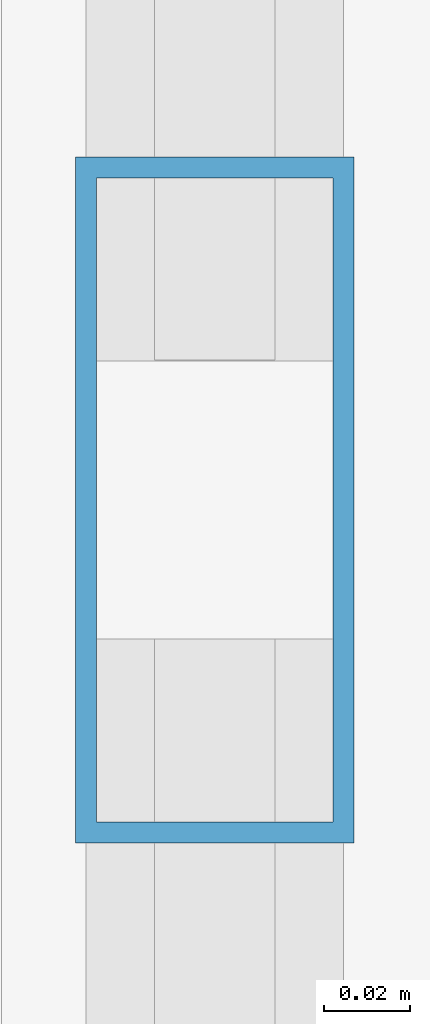
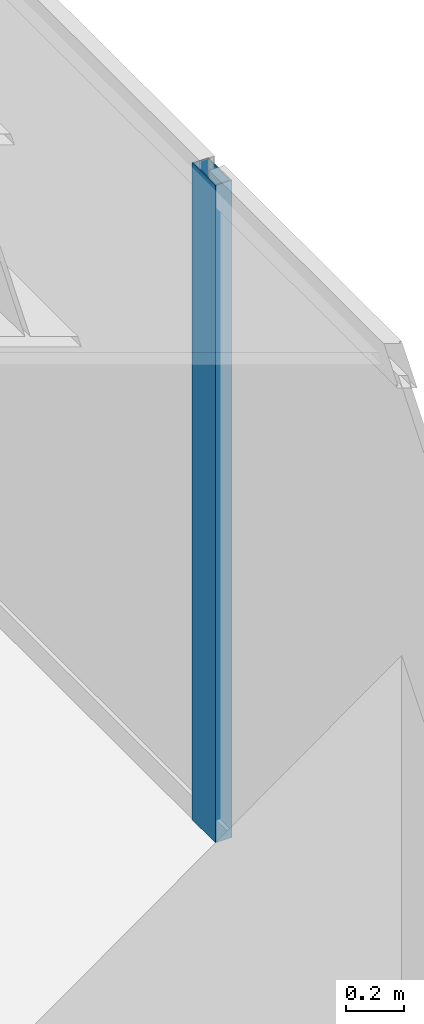
# One storey, part 11 of 28: 1 member, 1 element without a shape of its own.
"""IFC4 building model written with IfcOpenShell, lengths in metres."""

import ifcopenshell
import ifcopenshell.guid

model = None  # the IFC model being written
_history = None  # IfcOwnerHistory: only IFC2X3 demands one
_inside = {}  # id of a spatial element -> (the spatial element, [elements in it])
_under = {}  # id of a project, library or spatial element -> (it, [spatial elements below it])
_declared = {}  # id of a project -> (the project, [libraries it declares])
_typed = {}  # id of a type object -> (the type object, [elements of that type])
_made_of = {}  # id of a material, layer set ... -> (it, [elements and type objects made of it])


def new_model(schema):
    """Start an empty IFC model of exactly this schema.

    Asked for "IFC4X3", IfcOpenShell would pick the latest addendum, in which some entities
    have other attributes; the version numbers below select the first issue.
    IFC2X3 requires an IfcOwnerHistory on every rooted entity: one is made here for all.
    """
    global model, _history
    if schema == "IFC4X3":
        model = ifcopenshell.file(schema_version=(4, 3, 0, 0))
    else:
        model = ifcopenshell.file(schema=schema)
    _inside.clear()
    _under.clear()
    _declared.clear()
    _typed.clear()
    _made_of.clear()
    _history = None
    if model.schema == "IFC2X3":
        org = make("IfcOrganization", Name="unknown")
        user = make(
            "IfcPersonAndOrganization",
            ThePerson=make("IfcPerson", FamilyName="unknown"),
            TheOrganization=org,
        )
        app = make(
            "IfcApplication",
            ApplicationDeveloper=org,
            Version="unknown",
            ApplicationFullName="unknown",
            ApplicationIdentifier="unknown",
        )
        _history = make(
            "IfcOwnerHistory",
            OwningUser=user,
            OwningApplication=app,
            ChangeAction="ADDED",
            CreationDate=0,
        )
    return model


def make(cls, **values):
    """One entity of the class cls with the attributes given. An attribute that is None is left unset."""
    return model.create_entity(
        cls, **{name: value for name, value in values.items() if value is not None}
    )


def rooted(cls, **values):
    """An entity with a GlobalId (a new one), such as an element, a storey or a relation."""
    return make(cls, GlobalId=ifcopenshell.guid.new(), OwnerHistory=_history, **values)


def si_unit(unit_type, name, prefix=None):
    """IfcSIUnit, for example si_unit("LENGTHUNIT", "METRE", prefix="MILLI")."""
    return make("IfcSIUnit", UnitType=unit_type, Prefix=prefix, Name=name)


def assignment(units):
    """IfcUnitAssignment: the units of a project."""
    return None if units is None else make("IfcUnitAssignment", Units=units)


def point(xyz):
    """IfcCartesianPoint."""
    return None if xyz is None else make("IfcCartesianPoint", Coordinates=xyz)


def direction(xyz):
    """IfcDirection."""
    return None if xyz is None else make("IfcDirection", DirectionRatios=xyz)


def frame(location, z_axis=None, x_axis=None):
    """IfcAxis2Placement3D, a coordinate frame: its origin and axes. An axis left out is left unset."""
    return make(
        "IfcAxis2Placement3D",
        Location=point(location),
        Axis=direction(z_axis),
        RefDirection=direction(x_axis),
    )


def frame_2d(location, x_axis=None):
    """IfcAxis2Placement2D, a coordinate frame in the plane: its origin and x axis."""
    return make(
        "IfcAxis2Placement2D", Location=point(location), RefDirection=direction(x_axis)
    )


def origin():
    """The frame at (0, 0, 0) with its axes left unset."""
    return frame((0.0, 0.0, 0.0))


def origin_2d():
    """The frame at (0, 0) in the plane with its x axis left unset."""
    return frame_2d((0.0, 0.0))


def place(relative_to, where):
    """IfcLocalPlacement: puts the frame where relative to a parent placement (None: the world)."""
    return make(
        "IfcLocalPlacement", PlacementRelTo=relative_to, RelativePlacement=where
    )


def context(
    kind, dimensions, precision=None, world=None, true_north=None, identifier=None
):
    """IfcGeometricRepresentationContext, for example the 3D "Model" context."""
    return make(
        "IfcGeometricRepresentationContext",
        ContextIdentifier=identifier,
        ContextType=kind,
        CoordinateSpaceDimension=dimensions,
        Precision=precision,
        WorldCoordinateSystem=world,
        TrueNorth=true_north,
    )


def subcontext(parent, identifier, kind, view, scale=None):
    """IfcGeometricRepresentationSubContext, for example "Body" below "Model"."""
    return make(
        "IfcGeometricRepresentationSubContext",
        ContextIdentifier=identifier,
        ContextType=kind,
        ParentContext=parent,
        TargetScale=scale,
        TargetView=view,
    )


def project(units=None, contexts=None):
    """IfcProject with its units and contexts."""
    return rooted(
        "IfcProject",
        Name="project",
        RepresentationContexts=contexts,
        UnitsInContext=assignment(units),
    )


def spatial(cls, under=None, at=None, **own):
    """A site, building, storey or space (cls), placed at a placement, below another one or the project."""
    s = rooted(cls, ObjectPlacement=at, **own)
    if under is not None:
        _under.setdefault(under.id(), (under, []))[1].append(s)
    return s


def profile(cls, at=None, kind="AREA", **sizes):
    """A parametric profile (cls). Its sizes go by their IFC names, for example OverallWidth=200.0."""
    return make(cls, ProfileType=kind, Position=at, **sizes)


def hollow_rectangle(**sizes):
    """IfcRectangleHollowProfileDef."""
    return profile("IfcRectangleHollowProfileDef", **sizes)


def extrude(swept, where, along, depth):
    """IfcExtrudedAreaSolid: the profile swept, set in the frame where, extruded along a direction by depth."""
    return make(
        "IfcExtrudedAreaSolid",
        SweptArea=swept,
        Position=where,
        ExtrudedDirection=direction(along),
        Depth=depth,
    )


def shape(context_of_items, identifier, shape_type, items):
    """IfcShapeRepresentation: the items that make up one representation, for example the "Body"."""
    return make(
        "IfcShapeRepresentation",
        ContextOfItems=context_of_items,
        RepresentationIdentifier=identifier,
        RepresentationType=shape_type,
        Items=items,
    )


def source(mapping_origin, context_of_items, identifier, shape_type, items):
    """IfcRepresentationMap: a shape defined once, which mapped items show again and again."""
    return make(
        "IfcRepresentationMap",
        MappingOrigin=mapping_origin,
        MappedRepresentation=shape(context_of_items, identifier, shape_type, items),
    )


def transform(
    local_origin,
    x_axis=None,
    y_axis=None,
    z_axis=None,
    scale=None,
    scale2=None,
    scale3=None,
    uniform=True,
):
    """IfcCartesianTransformationOperator3D, or its non-uniform kind. x_axis, y_axis, z_axis: its Axis1, 2, 3."""
    if uniform:
        return make(
            "IfcCartesianTransformationOperator3D",
            Axis1=direction(x_axis),
            Axis2=direction(y_axis),
            LocalOrigin=point(local_origin),
            Scale=scale,
            Axis3=direction(z_axis),
        )
    return make(
        "IfcCartesianTransformationOperator3DnonUniform",
        Axis1=direction(x_axis),
        Axis2=direction(y_axis),
        LocalOrigin=point(local_origin),
        Scale=scale,
        Axis3=direction(z_axis),
        Scale2=scale2,
        Scale3=scale3,
    )


def mapped(mapping_source, mapping_target):
    """IfcMappedItem: shows the shape of a source again, moved by a transform."""
    return make(
        "IfcMappedItem", MappingSource=mapping_source, MappingTarget=mapping_target
    )


def material(Name=None, Category=None):
    """IfcMaterial."""
    return make("IfcMaterial", Name=Name, Category=Category)


def layer(
    of_material, thickness, ventilated=None, Name=None, Category=None, Priority=None
):
    """IfcMaterialLayer: one layer of a wall or slab, of a material (None: an air gap)."""
    return make(
        "IfcMaterialLayer",
        Material=of_material,
        LayerThickness=thickness,
        IsVentilated=ventilated,
        Name=Name,
        Category=Category,
        Priority=Priority,
    )


def layer_set(layers, Name=None):
    """IfcMaterialLayerSet."""
    return make("IfcMaterialLayerSet", MaterialLayers=layers, LayerSetName=Name)


def material_profile(
    of_material, cross_section, Name=None, Category=None, Priority=None
):
    """IfcMaterialProfile: a cross section and its material."""
    return make(
        "IfcMaterialProfile",
        Name=Name,
        Material=of_material,
        Profile=cross_section,
        Priority=Priority,
        Category=Category,
    )


def profile_set(profiles, Name=None, composite=None):
    """IfcMaterialProfileSet."""
    return make(
        "IfcMaterialProfileSet",
        Name=Name,
        MaterialProfiles=profiles,
        CompositeProfile=composite,
    )


def made_of(thing, what):
    """Note that an element or type object is made of a material, layer set ...; save() writes the relation."""
    if what is not None:
        _made_of.setdefault(what.id(), (what, []))[1].append(thing)
    return thing


def type_object(cls, material=None, **own):
    """A type object (cls), such as IfcWallType, which elements share."""
    return made_of(rooted(cls, **own), material)


def element(
    cls,
    number,
    at=None,
    inside=None,
    cuts=None,
    type_object=None,
    material=None,
    context=None,
    identifier="Body",
    shape_type=None,
    held_by="IfcProductDefinitionShape",
    body=None,
    shapes=None,
    **own,
):
    """One element of the class cls, such as IfcWall. Its Tag is "e" and its number.

    at: its placement. inside: the storey or other place that contains it. cuts: it is an
    opening in that element (IfcRelVoidsElement). A single representation is given by context,
    identifier, shape_type and body (its items); several are given by shapes. held_by: the class
    of the entity that holds the representations. save() writes the other relations.
    """
    e = rooted(cls, Tag="e%d" % number, ObjectPlacement=at, **own)
    if body is not None:
        shapes = [shape(context, identifier, shape_type, body)]
    if shapes is not None:
        e.Representation = make(held_by, Representations=shapes)
    if inside is not None:
        _inside.setdefault(inside.id(), (inside, []))[1].append(e)
    if cuts is not None:
        rooted(
            "IfcRelVoidsElement", RelatingBuildingElement=cuts, RelatedOpeningElement=e
        )
    if type_object is not None:
        _typed.setdefault(type_object.id(), (type_object, []))[1].append(e)
    return made_of(e, material)


def aggregate(whole, parts):
    """IfcRelAggregates: a whole, such as a stair, and the parts it consists of."""
    return rooted("IfcRelAggregates", RelatingObject=whole, RelatedObjects=parts)


def save(model, path):
    """Write the relations noted so far, then the file.

    IfcRelAggregates (storeys below a building ...), IfcRelContainedInSpatialStructure (elements
    in a storey), IfcRelDefinesByType, IfcRelAssociatesMaterial and IfcRelDeclares: one each for
    every whole, place, type object, material and project.
    """
    for whole, parts in _under.values():
        aggregate(whole, parts)
    for where, things in _inside.values():
        rooted(
            "IfcRelContainedInSpatialStructure",
            RelatedElements=things,
            RelatingStructure=where,
        )
    for kind, things in _typed.values():
        rooted("IfcRelDefinesByType", RelatedObjects=things, RelatingType=kind)
    for what, things in _made_of.values():
        rooted("IfcRelAssociatesMaterial", RelatedObjects=things, RelatingMaterial=what)
    for by, libraries in _declared.values():
        rooted("IfcRelDeclares", RelatingContext=by, RelatedDefinitions=libraries)
    model.write(path)


model = new_model("IFC4")

# Units and contexts
model_context = context("Model", 3, precision=1e-05, world=origin(), true_north=direction((0.0, 1.0)))
body_context = subcontext(model_context, "Body", "Model", "MODEL_VIEW")
ifc_project = project(units=[si_unit("LENGTHUNIT", "METRE"), si_unit("AREAUNIT", "SQUARE_METRE"), si_unit("VOLUMEUNIT", "CUBIC_METRE"), si_unit("PLANEANGLEUNIT", "RADIAN"), si_unit("MASSUNIT", "GRAM", prefix="KILO")], contexts=[model_context])

# Site, building, storey
site_placement = place(None, origin())
site = spatial("IfcSite", under=ifc_project, at=site_placement, CompositionType="ELEMENT")
building_placement = place(site_placement, origin())
building = spatial("IfcBuilding", under=site, at=building_placement, Name="Sumidabori Civic Tower", CompositionType="ELEMENT")
storey_placement = place(building_placement, frame((0.0, 0.0, 149.60009765625)))
storey = spatial("IfcBuildingStorey", under=building, at=storey_placement, Name="L38", CompositionType="ELEMENT", Elevation=149.60009765625)

# Curtain wall, member
ifc_material = material(Name="Anodised Bronze Aluminium AW-6063-T6", Category="aluminium")
ifc_layer = layer(ifc_material, 0.179931640625, Name="Anodised Bronze Aluminium AW-6063-T6")
ifc_layer_set = layer_set([ifc_layer], Name="Anodised Bronze Aluminium AW-6063-T6")
curtain_wall_type = type_object("IfcCurtainWallType", Name="CW-SYS-3", PredefinedType="NOTDEFINED", material=ifc_layer_set)
curtain_wall_placement = place(storey_placement, origin())
curtain_wall = element("IfcCurtainWall", 1, at=curtain_wall_placement, inside=storey, type_object=curtain_wall_type, Name="Curtain Wall CW:L38:R04", PredefinedType="NOTDEFINED")
ifc_material_profile = material_profile(ifc_material, hollow_rectangle(XDim=0.06494140625, YDim=0.159912109375, WallThickness=0.0048828125, at=origin_2d()), Name="ALU MULLION 160x65")
ifc_profile_set = profile_set([ifc_material_profile], Name="Anodised Bronze Aluminium AW-6063-T6")
member_type = type_object("IfcMemberType", Name="CW-MUL-160", PredefinedType="MULLION", material=ifc_profile_set)
shared_shape = source(origin(), body_context, "Body", "SweptSolid", [
    extrude(hollow_rectangle(XDim=0.06494140625, YDim=0.159912109375, WallThickness=0.0048828125, at=origin_2d()), origin(), (0.0, 0.0, 1.0), 2.760009765625),
])
member_placement = place(storey_placement, frame((23.8798828125, -8.2099609375, 0.0), z_axis=(0.0, 0.0, 1.0), x_axis=(-1.0, 0.0, 0.0)))
member = element("IfcMember", 2, at=member_placement, type_object=member_type, Name="CW-3 mullion 2", PredefinedType="MULLION", context=body_context, shape_type="MappedRepresentation", body=[
    mapped(shared_shape, transform((0.0, 0.0, 0.0), x_axis=(1.0, 0.0, 0.0), y_axis=(0.0, 1.0, 0.0), z_axis=(0.0, 0.0, 1.0), scale=1.0)),
])
aggregate(curtain_wall, [member])

save(model, "model.ifc")
